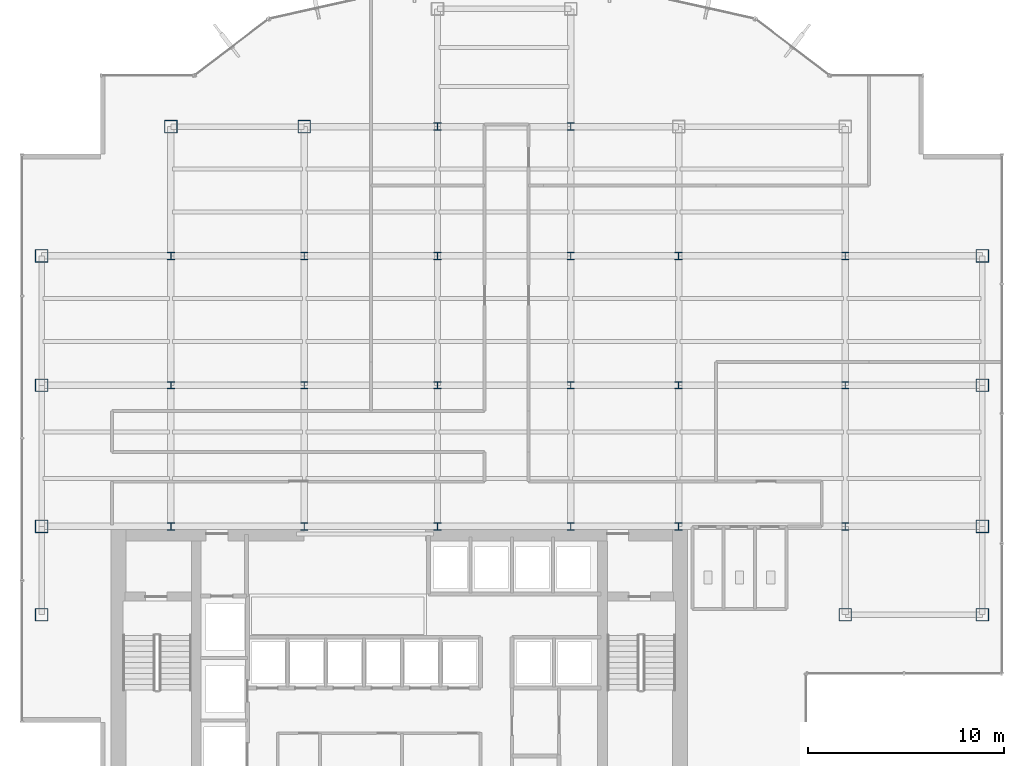
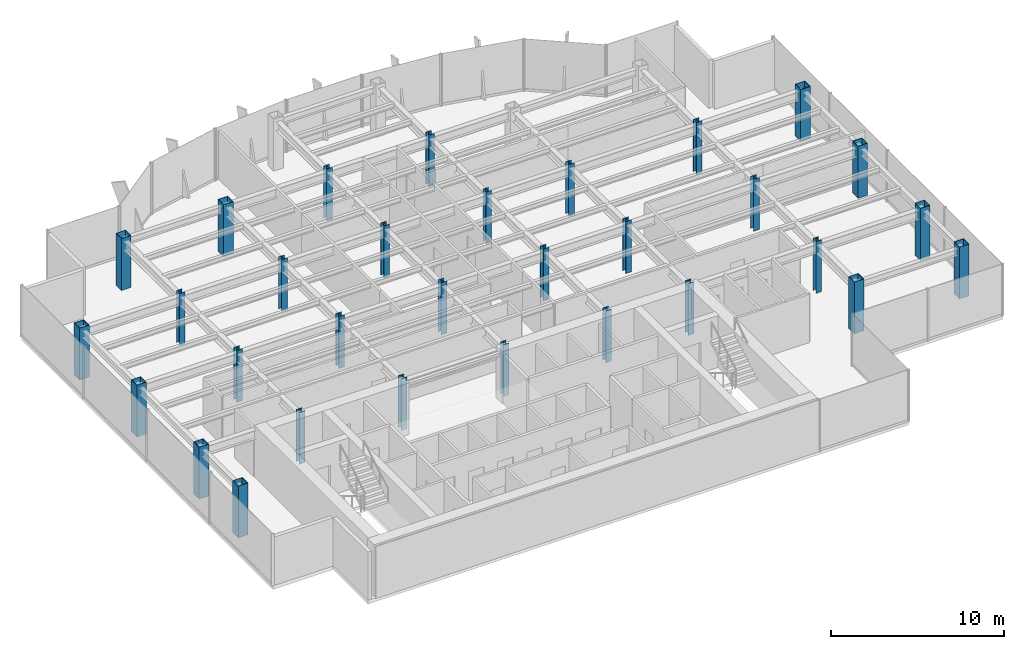
# One storey, part 1 of 25: 31 columns.
"""IFC4 building model written with IfcOpenShell, lengths in metres."""

from ifc_helpers import new_model, si_unit, derived_unit, direction, frame, origin, origin_2d, place, context, subcontext, project, spatial, hollow_rectangle, i_section, extrude, source, transform, mapped, material, material_profile, profile_set, type_object, element, save


model = new_model("IFC4")

# Units and contexts
model_context = context("Model", 3, precision=1e-05, world=origin(), true_north=direction((0.0, 1.0)))
body_context = subcontext(model_context, "Body", "Model", "MODEL_VIEW")
ifc_project = project(units=[si_unit("LENGTHUNIT", "METRE"), si_unit("AREAUNIT", "SQUARE_METRE"), si_unit("VOLUMEUNIT", "CUBIC_METRE"), si_unit("PLANEANGLEUNIT", "RADIAN"), si_unit("MASSUNIT", "GRAM", prefix="KILO"), derived_unit("THERMALTRANSMITTANCEUNIT", [(si_unit("POWERUNIT", "WATT"), 1), (si_unit("LENGTHUNIT", "METRE"), -2), (si_unit("THERMODYNAMICTEMPERATUREUNIT", "KELVIN"), -1)])], contexts=[model_context])

# Site, building, storey
site_placement = place(None, origin())
site = spatial("IfcSite", under=ifc_project, at=site_placement, CompositionType="ELEMENT")
building_placement = place(site_placement, origin())
building = spatial("IfcBuilding", under=site, at=building_placement, Name="Skarnbrae Concourse Arena and Tower", CompositionType="ELEMENT")
storey_placement = place(building_placement, frame((0.0, 0.0, 147.89990234375)))
storey = spatial("IfcBuildingStorey", under=building, at=storey_placement, Name="L37", CompositionType="ELEMENT", Elevation=147.89990234375)

# Columns
ifc_material = material(Name="Steel CSA G40.21 350W", Category="steel")
ifc_material_profile_1 = material_profile(ifc_material, hollow_rectangle(XDim=0.64990234375, YDim=0.64990234375, WallThickness=0.031982421875, at=origin_2d()), Name="BOX650X650X32")
ifc_profile_set_1 = profile_set([ifc_material_profile_1], Name="Steel CSA G40.21 350W")
column_type_1 = type_object("IfcColumnType", Name="COL-TUBE-BOX650", PredefinedType="COLUMN", material=ifc_profile_set_1)
shared_shape_1 = source(origin(), body_context, "Body", "SweptSolid", [
    extrude(hollow_rectangle(XDim=0.64990234375, YDim=0.64990234375, WallThickness=0.031982421875, at=origin_2d()), origin(), (0.0, 0.0, 1.0), 3.650146484375),
])
for number, where, z_axis, x_axis, name in (
    (1, (1.0, 9.5, 0.0), (0.0, 0.0, 1.0), (1.0, 0.0, 0.0), "L37 Tower column PC_01_01"),
    (2, (1.0, 14.0, 0.0), (0.0, 0.0, 1.0), (1.0, 0.0, 0.0), "L37 Tower column PC_01_02"),
    (3, (1.0, 21.199951171875, 0.0), (0.0, 0.0, 1.0), (1.0, 0.0, 0.0), "L37 Tower column PC_01_03"),
    (4, (1.0, 27.800048828125, 0.0), (0.0, 0.0, 1.0), (1.0, 0.0, 0.0), "L37 Tower column PC_01_04"),
    (5, (7.60009765625, 34.39990234375, 0.0), (0.0, 0.0, 1.0), (1.0, 0.0, 0.0), "L37 Tower column PC_02_05"),
    (6, (14.39990234375, 34.39990234375, 0.0), (0.0, 0.0, 1.0), (1.0, 0.0, 0.0), "L37 Tower column PC_03_05"),
    (7, (42.0, 9.5, 0.0), (0.0, 0.0, 1.0), (1.0, 0.0, 0.0), "L37 Tower column PC_07_01"),
    (8, (49.0, 9.5, 0.0), (0.0, 0.0, 1.0), (1.0, 0.0, 0.0), "L37 Tower column PC_08_01"),
    (9, (49.0, 14.0, 0.0), (0.0, 0.0, 1.0), (1.0, 0.0, 0.0), "L37 Tower column PC_08_02"),
    (10, (49.0, 21.199951171875, 0.0), (0.0, 0.0, 1.0), (1.0, 0.0, 0.0), "L37 Tower column PC_08_03"),
    (11, (49.0, 27.800048828125, 0.0), (0.0, 0.0, 1.0), (1.0, 0.0, 0.0), "L37 Tower column PC_08_04"),
):
    element("IfcColumn", number, at=place(storey_placement, frame(where, z_axis=z_axis, x_axis=x_axis)), inside=storey, type_object=column_type_1, Name=name, PredefinedType="COLUMN", context=body_context, shape_type="MappedRepresentation", body=[
        mapped(shared_shape_1, transform((0.0, 0.0, 0.0))),
    ])
ifc_material_profile_2 = material_profile(ifc_material, i_section(OverallWidth=0.3740234375, OverallDepth=0.3720703125, WebThickness=0.016357421875, FlangeThickness=0.026123046875, at=origin_2d()), Name="W360X196")
ifc_profile_set_2 = profile_set([ifc_material_profile_2], Name="Steel CSA G40.21 350W")
column_type_2 = type_object("IfcColumnType", Name="COL-INT-W360X196", PredefinedType="COLUMN", material=ifc_profile_set_2)
shared_shape_2 = source(origin(), body_context, "Body", "SweptSolid", [
    extrude(i_section(OverallWidth=0.3740234375, OverallDepth=0.3720703125, WebThickness=0.016357421875, FlangeThickness=0.026123046875, at=origin_2d()), origin(), (0.0, 0.0, 1.0), 3.650146484375),
])
for number, where, z_axis, x_axis, name in (
    (12, (7.60009765625, 14.0, 0.0), (0.0, 0.0, 1.0), (1.0, 0.0, 0.0), "L37 Tower column IC_02_02"),
    (13, (7.60009765625, 21.199951171875, 0.0), (0.0, 0.0, 1.0), (1.0, 0.0, 0.0), "L37 Tower column IC_02_03"),
    (14, (7.60009765625, 27.800048828125, 0.0), (0.0, 0.0, 1.0), (1.0, 0.0, 0.0), "L37 Tower column IC_02_04"),
    (15, (14.39990234375, 14.0, 0.0), (0.0, 0.0, 1.0), (1.0, 0.0, 0.0), "L37 Tower column IC_03_02"),
    (16, (14.39990234375, 21.199951171875, 0.0), (0.0, 0.0, 1.0), (1.0, 0.0, 0.0), "L37 Tower column IC_03_03"),
    (17, (14.39990234375, 27.800048828125, 0.0), (0.0, 0.0, 1.0), (1.0, 0.0, 0.0), "L37 Tower column IC_03_04"),
    (18, (21.199951171875, 14.0, 0.0), (0.0, 0.0, 1.0), (1.0, 0.0, 0.0), "L37 Tower column IC_04_02"),
    (19, (21.199951171875, 21.199951171875, 0.0), (0.0, 0.0, 1.0), (1.0, 0.0, 0.0), "L37 Tower column IC_04_03"),
    (20, (21.199951171875, 27.800048828125, 0.0), (0.0, 0.0, 1.0), (1.0, 0.0, 0.0), "L37 Tower column IC_04_04"),
    (21, (21.199951171875, 34.39990234375, 0.0), (0.0, 0.0, 1.0), (1.0, 0.0, 0.0), "L37 Tower column IC_04_05"),
    (22, (28.0, 14.0, 0.0), (0.0, 0.0, 1.0), (1.0, 0.0, 0.0), "L37 Tower column IC_05_02"),
    (23, (28.0, 21.199951171875, 0.0), (0.0, 0.0, 1.0), (1.0, 0.0, 0.0), "L37 Tower column IC_05_03"),
    (24, (28.0, 27.800048828125, 0.0), (0.0, 0.0, 1.0), (1.0, 0.0, 0.0), "L37 Tower column IC_05_04"),
    (25, (28.0, 34.39990234375, 0.0), (0.0, 0.0, 1.0), (1.0, 0.0, 0.0), "L37 Tower column IC_05_05"),
    (26, (33.5, 14.0, 0.0), (0.0, 0.0, 1.0), (1.0, 0.0, 0.0), "L37 Tower column IC_06_02"),
    (27, (33.5, 21.199951171875, 0.0), (0.0, 0.0, 1.0), (1.0, 0.0, 0.0), "L37 Tower column IC_06_03"),
    (28, (33.5, 27.800048828125, 0.0), (0.0, 0.0, 1.0), (1.0, 0.0, 0.0), "L37 Tower column IC_06_04"),
    (29, (42.0, 14.0, 0.0), (0.0, 0.0, 1.0), (1.0, 0.0, 0.0), "L37 Tower column IC_07_02"),
    (30, (42.0, 21.199951171875, 0.0), (0.0, 0.0, 1.0), (1.0, 0.0, 0.0), "L37 Tower column IC_07_03"),
    (31, (42.0, 27.800048828125, 0.0), (0.0, 0.0, 1.0), (1.0, 0.0, 0.0), "L37 Tower column IC_07_04"),
):
    element("IfcColumn", number, at=place(storey_placement, frame(where, z_axis=z_axis, x_axis=x_axis)), inside=storey, type_object=column_type_2, Name=name, PredefinedType="COLUMN", context=body_context, shape_type="MappedRepresentation", body=[
        mapped(shared_shape_2, transform((0.0, 0.0, 0.0))),
    ])

save(model, "model.ifc")
